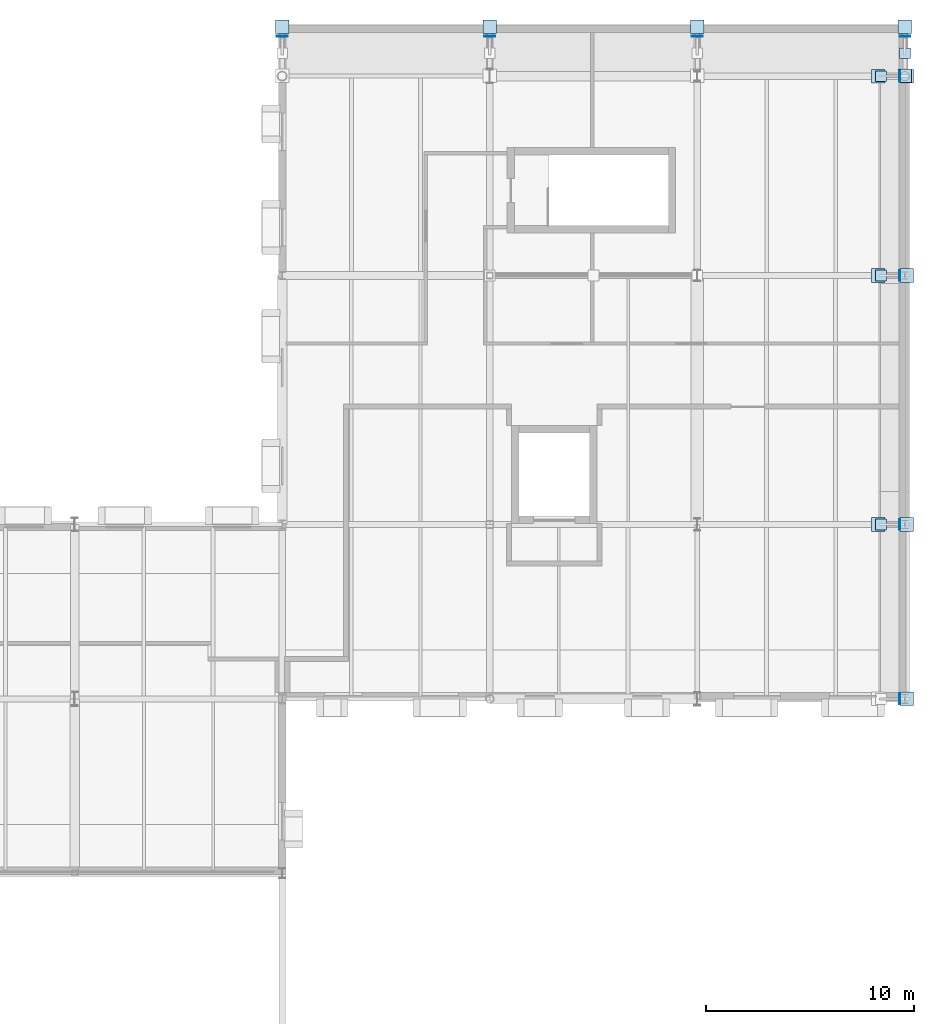
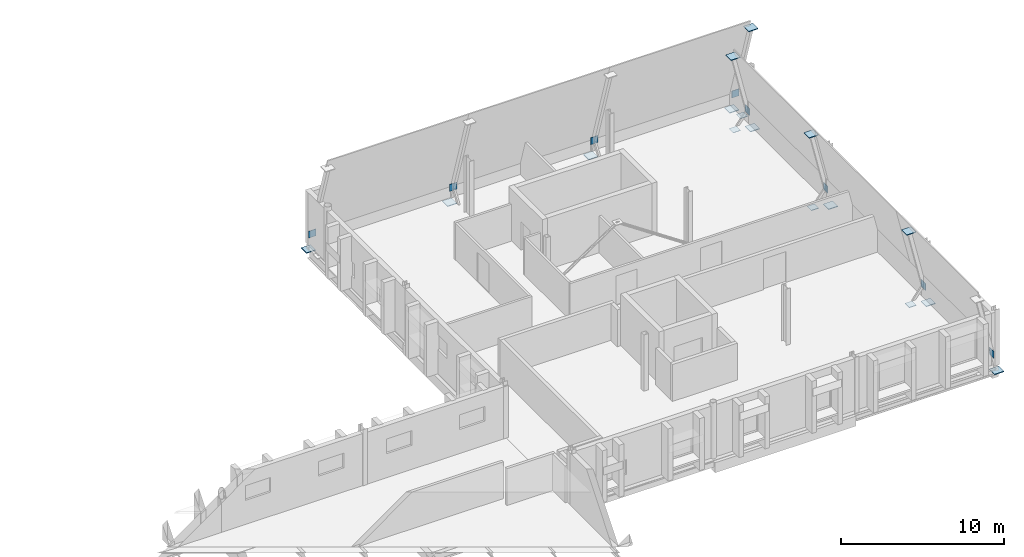
# One storey, part 60 of 90: 24 plates.
"""IFC4 building model written with IfcOpenShell, lengths in metres."""

from ifc_helpers import new_model, si_unit, direction, frame, origin, origin_2d, place, context, subcontext, project, spatial, rectangle, extrude, material, layer, layer_set, type_object, element, save


model = new_model("IFC4")

# Units and contexts
model_context = context("Model", 3, precision=1e-05, world=origin(), true_north=direction((0.0, 1.0)))
body_context = subcontext(model_context, "Body", "Model", "MODEL_VIEW")
ifc_project = project(units=[si_unit("LENGTHUNIT", "METRE"), si_unit("AREAUNIT", "SQUARE_METRE"), si_unit("VOLUMEUNIT", "CUBIC_METRE"), si_unit("PLANEANGLEUNIT", "RADIAN"), si_unit("MASSUNIT", "GRAM", prefix="KILO")], contexts=[model_context])

# Site, building, storey
site_placement = place(None, origin())
site = spatial("IfcSite", under=ifc_project, at=site_placement, CompositionType="ELEMENT")
building_placement = place(site_placement, origin())
building = spatial("IfcBuilding", under=site, at=building_placement, Name="Zereglee Splitstone Museum", CompositionType="ELEMENT")
storey_placement = place(building_placement, frame((0.0, 0.0, 4.800048828125)))
storey = spatial("IfcBuildingStorey", under=building, at=storey_placement, Name="L01", CompositionType="ELEMENT", Elevation=4.800048828125)

# Plates
ifc_material = material(Name="Steel S355J2", Category="steel")
ifc_layer_1 = layer(ifc_material, 0.030029296875)
ifc_layer_set_1 = layer_set([ifc_layer_1], Name="Steel S355J2")
plate_type_1 = type_object("IfcPlateType", Name="NP-04", PredefinedType="SHEET", material=ifc_layer_set_1)
for number, where, z_axis, x_axis, name in (
    (1, (296.0, 61.920654296875, 0.639892578125), (0.0, 0.0, 1.0), (1.0, 0.0, 0.0), "Facet Tie Seal Plate FH-V6N"),
    (2, (306.0, 61.920654296875, 0.639892578125), (0.0, 0.0, 1.0), (1.0, 0.0, 0.0), "Facet Tie Seal Plate FH-V6N"),
    (3, (316.0, 61.920654296875, 0.639892578125), (0.0, 0.0, 1.0), (1.0, 0.0, 0.0), "Facet Tie Seal Plate FH-V6N"),
):
    element("IfcPlate", number, at=place(storey_placement, frame(where, z_axis=z_axis, x_axis=x_axis)), inside=storey, type_object=plate_type_1, Name=name, PredefinedType="SHEET", context=body_context, shape_type="SweptSolid", body=[
        extrude(rectangle(XDim=0.52001953125, YDim=0.030029296875, at=origin_2d()), origin(), (0.0, 0.0, 1.0), 0.52001953125),
    ])
plate_1_placement = place(storey_placement, frame((326.0, 61.10009765625, -0.27490234375), z_axis=(0.0, 0.0, 1.0), x_axis=(1.0, 0.0, 0.0)))
element("IfcPlate", 4, at=plate_1_placement, inside=storey, type_object=plate_type_1, Name="Facet Tie Seal Plate FH-V6N", PredefinedType="SHEET", context=body_context, shape_type="SweptSolid", body=[
    extrude(rectangle(XDim=0.52001953125, YDim=0.52001953125, at=origin_2d()), origin(), (0.0, 0.0, 1.0), 0.030029296875),
])
plate_2_placement = place(storey_placement, frame((326.0, 61.920654296875, 0.639892578125), z_axis=(0.0, 0.0, 1.0), x_axis=(1.0, 0.0, 0.0)))
element("IfcPlate", 5, at=plate_2_placement, inside=storey, type_object=plate_type_1, Name="Facet Tie Seal Plate FH-V6N", PredefinedType="SHEET", context=body_context, shape_type="SweptSolid", body=[
    extrude(rectangle(XDim=0.52001953125, YDim=0.030029296875, at=origin_2d()), origin(), (0.0, 0.0, 1.0), 0.52001953125),
])
plate_3_placement = place(storey_placement, frame((325.7529296875, 30.0, 0.639892578125), z_axis=(0.0, 0.0, 1.0), x_axis=(1.0, 0.0, 0.0)))
element("IfcPlate", 6, at=plate_3_placement, inside=storey, type_object=plate_type_1, Name="Facet Tie Seal Plate FH-V6E", PredefinedType="SHEET", context=body_context, shape_type="SweptSolid", body=[
    extrude(rectangle(XDim=0.030029296875, YDim=0.52001953125, at=origin_2d()), origin(), (0.0, 0.0, 1.0), 0.52001953125),
])
plate_4_placement = place(storey_placement, frame((324.85009765625, 38.39990234375, -0.27490234375), z_axis=(0.0, 0.0, 1.0), x_axis=(1.0, 0.0, 0.0)))
element("IfcPlate", 7, at=plate_4_placement, inside=storey, type_object=plate_type_1, Name="Facet Tie Seal Plate FH-V6E", PredefinedType="SHEET", context=body_context, shape_type="SweptSolid", body=[
    extrude(rectangle(XDim=0.52001953125, YDim=0.52001953125, at=origin_2d()), origin(), (0.0, 0.0, 1.0), 0.030029296875),
])
plate_5_placement = place(storey_placement, frame((325.7529296875, 38.39990234375, 0.639892578125), z_axis=(0.0, 0.0, 1.0), x_axis=(1.0, 0.0, 0.0)))
element("IfcPlate", 8, at=plate_5_placement, inside=storey, type_object=plate_type_1, Name="Facet Tie Seal Plate FH-V6E", PredefinedType="SHEET", context=body_context, shape_type="SweptSolid", body=[
    extrude(rectangle(XDim=0.030029296875, YDim=0.52001953125, at=origin_2d()), origin(), (0.0, 0.0, 1.0), 0.52001953125),
])
plate_6_placement = place(storey_placement, frame((324.85009765625, 50.39990234375, -0.27490234375), z_axis=(0.0, 0.0, 1.0), x_axis=(1.0, 0.0, 0.0)))
element("IfcPlate", 9, at=plate_6_placement, inside=storey, type_object=plate_type_1, Name="Facet Tie Seal Plate FH-V6E", PredefinedType="SHEET", context=body_context, shape_type="SweptSolid", body=[
    extrude(rectangle(XDim=0.52001953125, YDim=0.52001953125, at=origin_2d()), origin(), (0.0, 0.0, 1.0), 0.030029296875),
])
plate_7_placement = place(storey_placement, frame((325.7529296875, 50.39990234375, 0.639892578125), z_axis=(0.0, 0.0, 1.0), x_axis=(1.0, 0.0, 0.0)))
element("IfcPlate", 10, at=plate_7_placement, inside=storey, type_object=plate_type_1, Name="Facet Tie Seal Plate FH-V6E", PredefinedType="SHEET", context=body_context, shape_type="SweptSolid", body=[
    extrude(rectangle(XDim=0.030029296875, YDim=0.52001953125, at=origin_2d()), origin(), (0.0, 0.0, 1.0), 0.52001953125),
])
plate_8_placement = place(storey_placement, frame((324.85009765625, 60.0, -0.27490234375), z_axis=(0.0, 0.0, 1.0), x_axis=(1.0, 0.0, 0.0)))
element("IfcPlate", 11, at=plate_8_placement, inside=storey, type_object=plate_type_1, Name="Facet Tie Seal Plate FH-V6E", PredefinedType="SHEET", context=body_context, shape_type="SweptSolid", body=[
    extrude(rectangle(XDim=0.52001953125, YDim=0.52001953125, at=origin_2d()), origin(), (0.0, 0.0, 1.0), 0.030029296875),
])
plate_9_placement = place(storey_placement, frame((325.7529296875, 60.0, 0.639892578125), z_axis=(0.0, 0.0, 1.0), x_axis=(1.0, 0.0, 0.0)))
element("IfcPlate", 12, at=plate_9_placement, inside=storey, type_object=plate_type_1, Name="Facet Tie Seal Plate FH-V6E", PredefinedType="SHEET", context=body_context, shape_type="SweptSolid", body=[
    extrude(rectangle(XDim=0.030029296875, YDim=0.52001953125, at=origin_2d()), origin(), (0.0, 0.0, 1.0), 0.52001953125),
])
ifc_layer_2 = layer(ifc_material, 0.050048828125)
ifc_layer_set_2 = layer_set([ifc_layer_2], Name="Steel S355J2")
plate_type_2 = type_object("IfcPlateType", Name="NP-02", PredefinedType="SHEET", material=ifc_layer_set_2)
for number, where, z_axis, x_axis, name in (
    (13, (296.0, 62.37548828125, -0.5751953125), (0.0, 0.0, 1.0), (1.0, 0.0, 0.0), "Facet Strut Seal Plate FH-V6N"),
    (14, (306.0, 62.37548828125, -0.5751953125), (0.0, 0.0, 1.0), (1.0, 0.0, 0.0), "Facet Strut Seal Plate FH-V6N"),
    (15, (316.0, 62.37548828125, -0.5751953125), (0.0, 0.0, 1.0), (1.0, 0.0, 0.0), "Facet Strut Seal Plate FH-V6N"),
    (16, (326.0, 62.37548828125, -0.5751953125), (0.0, 0.0, 1.0), (1.0, 0.0, 0.0), "Facet Strut Seal Plate FH-V6N"),
    (17, (326.0, 60.01318359375, 6.955078125), (0.0, 0.0, 1.0), (1.0, 0.0, 0.0), "Facet Strut Seal Plate FH-V6N"),
    (18, (326.093994140625, 30.0, -0.5751953125), (0.0, 0.0, 1.0), (1.0, 0.0, 0.0), "Facet Strut Seal Plate FH-V6E"),
    (19, (326.093994140625, 38.39990234375, -0.5751953125), (0.0, 0.0, 1.0), (1.0, 0.0, 0.0), "Facet Strut Seal Plate FH-V6E"),
    (20, (324.722412109375, 38.39990234375, 5.2548828125), (0.0, 0.0, 1.0), (1.0, 0.0, 0.0), "Facet Strut Seal Plate FH-V6E"),
    (21, (326.093994140625, 50.39990234375, -0.5751953125), (0.0, 0.0, 1.0), (1.0, 0.0, 0.0), "Facet Strut Seal Plate FH-V6E"),
    (22, (324.722412109375, 50.39990234375, 5.2548828125), (0.0, 0.0, 1.0), (1.0, 0.0, 0.0), "Facet Strut Seal Plate FH-V6E"),
    (23, (326.093994140625, 60.0, -0.5751953125), (0.0, 0.0, 1.0), (1.0, 0.0, 0.0), "Facet Strut Seal Plate FH-V6E"),
    (24, (324.722412109375, 60.0, 5.2548828125), (0.0, 0.0, 1.0), (1.0, 0.0, 0.0), "Facet Strut Seal Plate FH-V6E"),
):
    element("IfcPlate", number, at=place(storey_placement, frame(where, z_axis=z_axis, x_axis=x_axis)), inside=storey, type_object=plate_type_2, Name=name, PredefinedType="SHEET", context=body_context, shape_type="SweptSolid", body=[
        extrude(rectangle(XDim=0.659912109375, YDim=0.659912109375, at=origin_2d()), origin(), (0.0, 0.0, 1.0), 0.050048828125),
    ])

save(model, "model.ifc")
